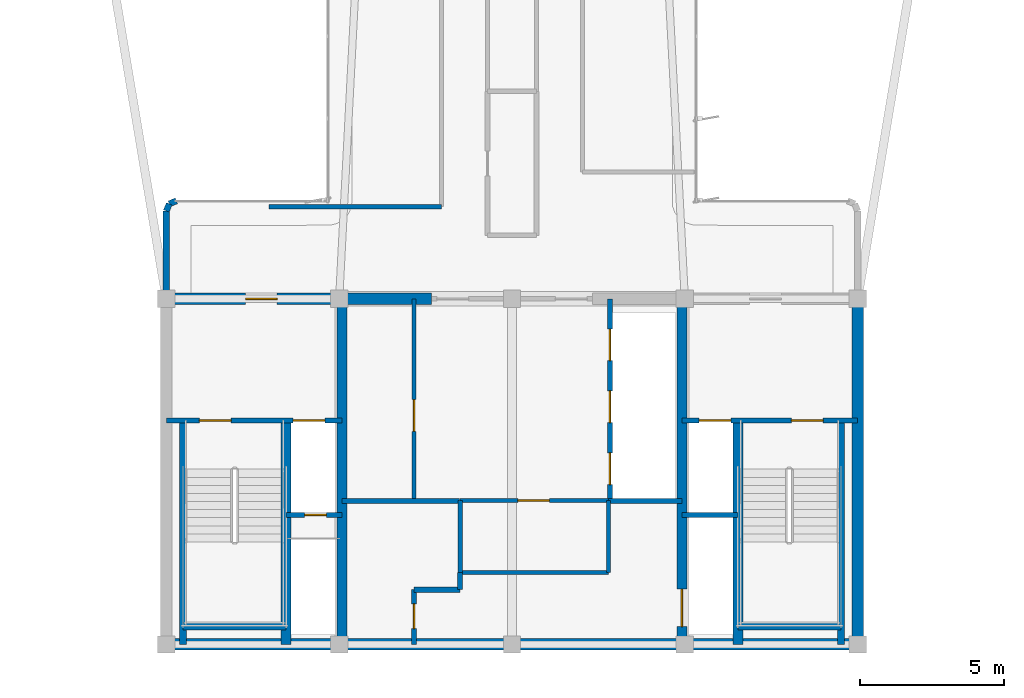
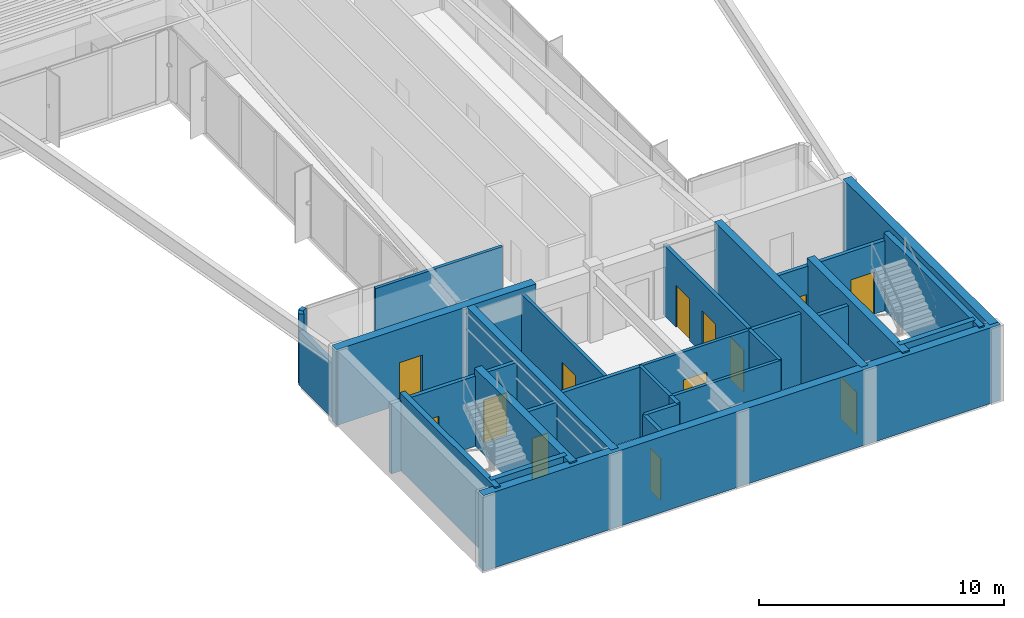
# One storey, part 10 of 15: 30 walls, 13 doors, 13 openings.
"""IFC4 building model written with IfcOpenShell, lengths in metres."""

from ifc_helpers import new_model, si_unit, direction, frame, frame_2d, origin, origin_2d, place, context, subcontext, project, spatial, rectangle, extrude, source, transform, mapped, material, layer, layer_set, type_object, element, fill, save


model = new_model("IFC4")

# Units and contexts
model_context = context("Model", 3, precision=1e-05, world=origin(), true_north=direction((0.0, 1.0)))
body_context = subcontext(model_context, "Body", "Model", "MODEL_VIEW")
ifc_project = project(units=[si_unit("LENGTHUNIT", "METRE"), si_unit("AREAUNIT", "SQUARE_METRE"), si_unit("VOLUMEUNIT", "CUBIC_METRE"), si_unit("PLANEANGLEUNIT", "RADIAN"), si_unit("MASSUNIT", "GRAM", prefix="KILO")], contexts=[model_context])

# Site, building, storey
site_placement = place(None, origin())
site = spatial("IfcSite", under=ifc_project, at=site_placement, CompositionType="ELEMENT")
building_placement = place(site_placement, origin())
building = spatial("IfcBuilding", under=site, at=building_placement, Name="Brelvock Crest Care Tower", CompositionType="ELEMENT")
storey_placement = place(building_placement, frame((0.0, 0.0, 249.47998046875)))
storey = spatial("IfcBuildingStorey", under=building, at=storey_placement, Name="L63", CompositionType="ELEMENT", Elevation=249.47998046875)

# Walls
ifc_material_1 = material(Name="Concrete S65 (65 MPa)", Category="concrete")
ifc_layer_1 = layer(ifc_material_1, 0.39990234375, Name="WL-CS4")
ifc_layer_set_1 = layer_set([ifc_layer_1], Name="Concrete S65 (65 MPa)")
wall_type_1 = type_object("IfcWallType", Name="WL-CS4", PredefinedType="SHEAR", material=ifc_layer_set_1)
wall_1_placement = place(storey_placement, frame((48.199951171875, 6.0, 0.0), z_axis=(0.0, 0.0, 1.0), x_axis=(-1.0, 0.0, 0.0)))
element("IfcWall", 1, at=wall_1_placement, inside=storey, type_object=wall_type_1, Name="L63 Core South Shear Wall", PredefinedType="SHEAR", context=body_context, shape_type="SweptSolid", body=[
    extrude(rectangle(XDim=24.39990234375, YDim=0.39990234375, at=frame_2d((12.199951171875, 0.0))), origin(), (0.0, 0.0, 1.0), 3.780029296875),
])
wall_2_placement = place(storey_placement, frame((48.0, 18.0, 0.0), z_axis=(0.0, 0.0, 1.0), x_axis=(0.0, -1.0, 0.0)))
element("IfcWall", 2, at=wall_2_placement, inside=storey, type_object=wall_type_1, Name="L63 Core East Shear Wall", PredefinedType="SHEAR", context=body_context, shape_type="SweptSolid", body=[
    extrude(rectangle(XDim=12.0, YDim=0.39990234375, at=frame_2d((6.0, 0.0))), origin(), (0.0, 0.0, 1.0), 3.780029296875),
])

# Wall, opening, door
wall_3_placement = place(storey_placement, frame((23.800048828125, 18.0, 0.0), z_axis=(0.0, 0.0, 1.0), x_axis=(1.0, 0.0, 0.0)))
wall_3 = element("IfcWall", 3, at=wall_3_placement, inside=storey, type_object=wall_type_1, Name="L63 Core North-West Shear Wall", PredefinedType="SHEAR", context=body_context, shape_type="SweptSolid", body=[
    extrude(rectangle(XDim=9.39990234375, YDim=0.39990234375, at=frame_2d((4.699951171875, 0.0))), origin(), (0.0, 0.0, 1.0), 3.780029296875),
])
opening_1_placement = place(wall_3_placement, frame((2.949951171875, 0.0, 0.0)))
opening_1 = element("IfcOpeningElement", 4, at=opening_1_placement, cuts=wall_3, Name="Opening FD-1", PredefinedType="OPENING", context=body_context, shape_type="SweptSolid", body=[
    extrude(rectangle(XDim=1.10009765625, YDim=2.10009765625, at=origin_2d()), frame((0.550048828125, 0.2099609375, 1.050048828125), z_axis=(0.0, -1.0, 0.0), x_axis=(1.0, 0.0, 0.0)), (0.0, 0.0, 1.0), 0.419921875),
])
ifc_material_2 = material(Name="Steel Grade 350", Category="steel")
door_type_1 = type_object("IfcDoorType", Name="DR-FFL1", OperationType="NOTDEFINED", PredefinedType="DOOR", material=ifc_material_2)
shared_shape_1 = source(origin(), body_context, "Body", "SweptSolid", [
    extrude(rectangle(XDim=1.10009765625, YDim=2.10009765625, at=origin_2d()), frame((0.550048828125, 0.02490234375, 1.050048828125), z_axis=(0.0, -1.0, 0.0), x_axis=(1.0, 0.0, 0.0)), (0.0, 0.0, 1.0), 0.050048828125),
])
door_1_placement = place(opening_1_placement, origin())
door_1 = element("IfcDoor", 5, at=door_1_placement, inside=storey, type_object=door_type_1, Name="L63 Firefighting Lobby FFL-1 Exit Door", OperationType="SINGLE_SWING_LEFT", OverallHeight=2.10009765625, OverallWidth=1.10009765625, PredefinedType="DOOR", context=body_context, shape_type="MappedRepresentation", body=[
    mapped(shared_shape_1, transform((0.0, 0.0, 0.0), x_axis=(1.0, 0.0, 0.0), y_axis=(0.0, 1.0, 0.0), z_axis=(0.0, 0.0, 1.0), scale=1.0)),
])
fill(opening_1, door_1)

# Wall
ifc_material_3 = material(Name="Concrete S80 (80 MPa)", Category="concrete")
ifc_layer_2 = layer(ifc_material_3, 0.35009765625, Name="WL-CS5")
ifc_layer_set_2 = layer_set([ifc_layer_2], Name="Concrete S80 (80 MPa)")
wall_type_2 = type_object("IfcWallType", Name="WL-CS5", PredefinedType="SHEAR", material=ifc_layer_set_2)
wall_4_placement = place(storey_placement, frame((30.10009765625, 6.0, 0.0), z_axis=(0.0, 0.0, 1.0), x_axis=(0.0, 1.0, 0.0)))
element("IfcWall", 6, at=wall_4_placement, inside=storey, type_object=wall_type_2, Name="L63 Core Internal Web Wall West", PredefinedType="SHEAR", context=body_context, shape_type="SweptSolid", body=[
    extrude(rectangle(XDim=12.0, YDim=0.35009765625, at=frame_2d((6.0, 0.0))), origin(), (0.0, 0.0, 1.0), 3.780029296875),
])

# Wall, opening, door
wall_5_placement = place(storey_placement, frame((41.89990234375, 18.0, 0.0), z_axis=(0.0, 0.0, 1.0), x_axis=(0.0, -1.0, 0.0)))
wall_5 = element("IfcWall", 7, at=wall_5_placement, inside=storey, type_object=wall_type_2, Name="L63 Core Internal Web Wall East", PredefinedType="SHEAR", context=body_context, shape_type="SweptSolid", body=[
    extrude(rectangle(XDim=12.0, YDim=0.35009765625, at=frame_2d((6.0, 0.0))), origin(), (0.0, 0.0, 1.0), 3.780029296875),
])
opening_2_placement = place(wall_5_placement, frame((10.080078125, 0.0, 0.0)))
opening_2 = element("IfcOpeningElement", 8, at=opening_2_placement, cuts=wall_5, Name="Opening LD-S", PredefinedType="OPENING", context=body_context, shape_type="SweptSolid", body=[
    extrude(rectangle(XDim=1.300048828125, YDim=2.10009765625, at=origin_2d()), frame((0.64990234375, 0.18505859375, 1.050048828125), z_axis=(0.0, -1.0, 0.0), x_axis=(1.0, 0.0, 0.0)), (0.0, 0.0, 1.0), 0.3701171875),
])
door_type_2 = type_object("IfcDoorType", Name="DR-LDS1", OperationType="NOTDEFINED", PredefinedType="DOOR", material=ifc_material_2)
shared_shape_2 = source(origin(), body_context, "Body", "SweptSolid", [
    extrude(rectangle(XDim=1.300048828125, YDim=2.10009765625, at=origin_2d()), frame((0.64990234375, 0.02490234375, 1.050048828125), z_axis=(0.0, -1.0, 0.0), x_axis=(1.0, 0.0, 0.0)), (0.0, 0.0, 1.0), 0.050048828125),
])
door_2_placement = place(opening_2_placement, origin())
door_2 = element("IfcDoor", 9, at=door_2_placement, inside=storey, type_object=door_type_2, Name="L63 Clinical Bed Lift SL-1 Landing Door", OperationType="SLIDING_TO_LEFT", OverallHeight=2.10009765625, OverallWidth=1.300048828125, PredefinedType="DOOR", context=body_context, shape_type="MappedRepresentation", body=[
    mapped(shared_shape_2, transform((0.0, 0.0, 0.0), x_axis=(1.0, 0.0, 0.0), y_axis=(0.0, 1.0, 0.0), z_axis=(0.0, 0.0, 1.0), scale=1.0)),
])
fill(opening_2, door_2)

# Walls
for number, where, z_axis, x_axis, name in (
    (10, (28.14990234375, 6.0, 0.0), (0.0, 0.0, 1.0), (0.0, 1.0, 0.0), "L63 Core Stair ST-1 East Shear Wall"),
    (11, (43.85009765625, 6.0, 0.0), (0.0, 0.0, 1.0), (0.0, 1.0, 0.0), "L63 Core Stair ST-2 West Shear Wall"),
):
    element("IfcWall", number, at=place(storey_placement, frame(where, z_axis=z_axis, x_axis=x_axis)), inside=storey, type_object=wall_type_2, Name=name, PredefinedType="SHEAR", context=body_context, shape_type="SweptSolid", body=[
        extrude(rectangle(XDim=7.780029296875, YDim=0.35009765625, at=frame_2d((3.89013671875, 0.0))), origin(), (0.0, 0.0, 1.0), 3.85009765625),
    ])
ifc_layer_3 = layer(ifc_material_3, 0.25, Name="WL-CS6")
ifc_layer_set_3 = layer_set([ifc_layer_3], Name="Concrete S80 (80 MPa)")
wall_type_3 = type_object("IfcWallType", Name="WL-CS6", PredefinedType="SHEAR", material=ifc_layer_set_3)
wall_6_placement = place(storey_placement, frame((24.580078125, 6.0, 0.0), z_axis=(0.0, 0.0, 1.0), x_axis=(0.0, 1.0, 0.0)))
element("IfcWall", 12, at=wall_6_placement, inside=storey, type_object=wall_type_3, Name="L63 Core Stair ST-1 West Shear Wall", PredefinedType="SHEAR", context=body_context, shape_type="SweptSolid", body=[
    extrude(rectangle(XDim=7.780029296875, YDim=0.25, at=frame_2d((3.89013671875, 0.0))), origin(), (0.0, 0.0, 1.0), 3.85009765625),
])
wall_7_placement = place(storey_placement, frame((24.580078125, 6.6201171875, 0.0), z_axis=(0.0, 0.0, 1.0), x_axis=(1.0, 0.0, 0.0)))
element("IfcWall", 13, at=wall_7_placement, inside=storey, type_object=wall_type_3, Name="L63 Core Stair ST-1 South Shear Wall", PredefinedType="SHEAR", context=body_context, shape_type="SweptSolid", body=[
    extrude(rectangle(XDim=3.56982421875, YDim=0.25, at=frame_2d((1.784912109375, 0.0))), origin(), (0.0, 0.0, 1.0), 3.85009765625),
])
wall_8_placement = place(storey_placement, frame((47.419921875, 6.0, 0.0), z_axis=(0.0, 0.0, 1.0), x_axis=(0.0, 1.0, 0.0)))
element("IfcWall", 14, at=wall_8_placement, inside=storey, type_object=wall_type_3, Name="L63 Core Stair ST-2 East Shear Wall", PredefinedType="SHEAR", context=body_context, shape_type="SweptSolid", body=[
    extrude(rectangle(XDim=7.780029296875, YDim=0.25, at=frame_2d((3.89013671875, 0.0))), origin(), (0.0, 0.0, 1.0), 3.85009765625),
])
wall_9_placement = place(storey_placement, frame((43.85009765625, 6.6201171875, 0.0), z_axis=(0.0, 0.0, 1.0), x_axis=(1.0, 0.0, 0.0)))
element("IfcWall", 15, at=wall_9_placement, inside=storey, type_object=wall_type_3, Name="L63 Core Stair ST-2 South Shear Wall", PredefinedType="SHEAR", context=body_context, shape_type="SweptSolid", body=[
    extrude(rectangle(XDim=3.56982421875, YDim=0.25, at=frame_2d((1.784912109375, 0.0))), origin(), (0.0, 0.0, 1.0), 3.85009765625),
])
ifc_material_4 = material(Name="Precast concrete N40 (40 MPa)", Category="concrete")
ifc_layer_4 = layer(ifc_material_4, 0.215087890625, Name="WL-EX2")
ifc_layer_set_4 = layer_set([ifc_layer_4], Name="Precast concrete N40 (40 MPa)")
wall_type_4 = type_object("IfcWallType", Name="WL-EX2", PredefinedType="SOLIDWALL", material=ifc_layer_set_4)
wall_10_placement = place(storey_placement, frame((24.0, 18.280029296875, 0.0), z_axis=(0.0, 0.0, 1.0), x_axis=(0.0, 1.0, 0.0)))
element("IfcWall", 16, at=wall_10_placement, inside=storey, type_object=wall_type_4, Name="L63 Rounded Corner Wall 07", PredefinedType="SOLIDWALL", context=body_context, shape_type="SweptSolid", body=[
    extrude(rectangle(XDim=2.77001953125, YDim=0.215087890625, at=frame_2d((1.385009765625, 0.0))), origin(), (0.0, 0.0, 1.0), 2.718017578125),
])
wall_11_placement = place(storey_placement, frame((24.0, 21.050048828125, 0.0), z_axis=(0.0, 0.0, 1.0), x_axis=(0.382673670509, 0.923883575944, 0.0)))
element("IfcWall", 17, at=wall_11_placement, inside=storey, type_object=wall_type_4, Name="L63 Rounded Corner Wall 08", PredefinedType="SOLIDWALL", context=body_context, shape_type="SweptSolid", body=[
    extrude(rectangle(XDim=0.26806640625, YDim=0.215087890625, at=frame_2d((0.134033203125, 0.0))), origin(), (0.0, 0.0, 1.0), 3.530029296875),
])
wall_12_placement = place(storey_placement, frame((24.1025390625, 21.297607421875, 0.0), z_axis=(0.0, 0.0, 1.0), x_axis=(0.924205486139, 0.381895560841, 0.0)))
element("IfcWall", 18, at=wall_12_placement, inside=storey, type_object=wall_type_4, Name="L63 Rounded Corner Wall 09", PredefinedType="SOLIDWALL", context=body_context, shape_type="SweptSolid", body=[
    extrude(rectangle(XDim=0.267822265625, YDim=0.215087890625, at=frame_2d((0.1337890625, 0.0))), origin(), (0.0, 0.0, 1.0), 3.530029296875),
])

# Wall, opening, door
ifc_material_5 = material(Name="Masonry Blockwork Acoustic Partition", Category="masonry")
ifc_layer_5 = layer(ifc_material_5, 0.14990234375, Name="WL-INT1")
ifc_layer_set_5 = layer_set([ifc_layer_5], Name="Masonry Blockwork Acoustic Partition")
wall_type_5 = type_object("IfcWallType", Name="WL-INT1", PredefinedType="PARTITIONING", material=ifc_layer_set_5)
wall_13_placement = place(storey_placement, frame((32.60009765625, 11.0, 0.0), z_axis=(0.0, 0.0, 1.0), x_axis=(0.0, 1.0, 0.0)))
wall_13 = element("IfcWall", 19, at=wall_13_placement, inside=storey, type_object=wall_type_5, Name="L63 Interior Wall WL-CRCL-E-L63", PredefinedType="PARTITIONING", context=body_context, shape_type="SweptSolid", body=[
    extrude(rectangle(XDim=7.0, YDim=0.14990234375, at=frame_2d((3.5, 0.0))), origin(), (0.0, 0.0, 1.0), 3.5),
])
opening_3_placement = place(wall_13_placement, frame((2.39990234375, 0.0, 0.0)))
opening_3 = element("IfcOpeningElement", 20, at=opening_3_placement, cuts=wall_13, Name="Opening PD-1", PredefinedType="OPENING", context=body_context, shape_type="SweptSolid", body=[
    extrude(rectangle(XDim=1.10009765625, YDim=2.10009765625, at=origin_2d()), frame((0.550048828125, 0.0849609375, 1.050048828125), z_axis=(0.0, -1.0, 0.0), x_axis=(1.0, 0.0, 0.0)), (0.0, 0.0, 1.0), 0.169921875),
])
door_type_3 = type_object("IfcDoorType", Name="DR-PLT1", OperationType="NOTDEFINED", PredefinedType="DOOR", material=ifc_material_2)
shared_shape_3 = source(origin(), body_context, "Body", "SweptSolid", [
    extrude(rectangle(XDim=1.10009765625, YDim=2.10009765625, at=origin_2d()), frame((0.550048828125, 0.02490234375, 1.050048828125), z_axis=(0.0, -1.0, 0.0), x_axis=(1.0, 0.0, 0.0)), (0.0, 0.0, 1.0), 0.050048828125),
])
door_3_placement = place(opening_3_placement, origin())
door_3 = element("IfcDoor", 21, at=door_3_placement, inside=storey, type_object=door_type_3, Name="DR-CRCL1-L63", OperationType="SINGLE_SWING_LEFT", OverallHeight=2.10009765625, OverallWidth=1.10009765625, PredefinedType="DOOR", context=body_context, shape_type="MappedRepresentation", body=[
    mapped(shared_shape_3, transform((0.0, 0.0, 0.0), x_axis=(1.0, 0.0, 0.0), y_axis=(0.0, 1.0, 0.0), z_axis=(0.0, 0.0, 1.0), scale=1.0)),
])
fill(opening_3, door_3)

# Walls
wall_14_placement = place(storey_placement, frame((34.199951171875, 8.5, 0.0), z_axis=(0.0, 0.0, 1.0), x_axis=(1.0, 0.0, 0.0)))
element("IfcWall", 22, at=wall_14_placement, inside=storey, type_object=wall_type_5, Name="L63 Interior Wall WL-CRCM-S-L63", PredefinedType="PARTITIONING", context=body_context, shape_type="SweptSolid", body=[
    extrude(rectangle(XDim=5.150146484375, YDim=0.14990234375, at=frame_2d((2.5751953125, 0.0))), origin(), (0.0, 0.0, 1.0), 3.5),
])
for number, where, z_axis, x_axis, name in (
    (23, (34.199951171875, 8.5, 0.0), (0.0, 0.0, 1.0), (0.0, 1.0, 0.0), "L63 Interior Wall WL-CRCM-W-L63"),
    (24, (39.35009765625, 8.5, 0.0), (0.0, 0.0, 1.0), (0.0, 1.0, 0.0), "L63 Interior Wall WL-CRCM-E-L63"),
):
    element("IfcWall", number, at=place(storey_placement, frame(where, z_axis=z_axis, x_axis=x_axis)), inside=storey, type_object=wall_type_5, Name=name, PredefinedType="PARTITIONING", context=body_context, shape_type="SweptSolid", body=[
        extrude(rectangle(XDim=2.5, YDim=0.14990234375, at=frame_2d((1.25, 0.0))), origin(), (0.0, 0.0, 1.0), 3.5),
    ])

# Wall, opening, door
wall_15_placement = place(storey_placement, frame((34.199951171875, 11.0, 0.0), z_axis=(0.0, 0.0, 1.0), x_axis=(1.0, 0.0, 0.0)))
wall_15 = element("IfcWall", 25, at=wall_15_placement, inside=storey, type_object=wall_type_5, Name="L63 Interior Wall WL-CRCM-N-L63", PredefinedType="PARTITIONING", context=body_context, shape_type="SweptSolid", body=[
    extrude(rectangle(XDim=5.150146484375, YDim=0.14990234375, at=frame_2d((2.5751953125, 0.0))), origin(), (0.0, 0.0, 1.0), 3.5),
])
opening_4_placement = place(wall_15_placement, frame((2.0, 0.0, 0.0)))
opening_4 = element("IfcOpeningElement", 26, at=opening_4_placement, cuts=wall_15, Name="Opening PD-1", PredefinedType="OPENING", context=body_context, shape_type="SweptSolid", body=[
    extrude(rectangle(XDim=1.10009765625, YDim=2.10009765625, at=origin_2d()), frame((0.550048828125, 0.0849609375, 1.050048828125), z_axis=(0.0, -1.0, 0.0), x_axis=(1.0, 0.0, 0.0)), (0.0, 0.0, 1.0), 0.169921875),
])
door_4_placement = place(opening_4_placement, origin())
door_4 = element("IfcDoor", 27, at=door_4_placement, inside=storey, type_object=door_type_3, Name="DR-CRCM1-L63", OperationType="SINGLE_SWING_LEFT", OverallHeight=2.10009765625, OverallWidth=1.10009765625, PredefinedType="DOOR", context=body_context, shape_type="MappedRepresentation", body=[
    mapped(shared_shape_3, transform((0.0, 0.0, 0.0), x_axis=(1.0, 0.0, 0.0), y_axis=(0.0, 1.0, 0.0), z_axis=(0.0, 0.0, 1.0), scale=1.0)),
])
fill(opening_4, door_4)

# Walls
wall_16_placement = place(storey_placement, frame((27.5576171875, 21.199951171875, 0.0), z_axis=(0.0, 0.0, 1.0), x_axis=(1.0, 0.0, 0.0)))
element("IfcWall", 28, at=wall_16_placement, inside=storey, type_object=wall_type_5, Name="L63 Interior Wall WL-BX-L63-THRW-S", PredefinedType="PARTITIONING", context=body_context, shape_type="SweptSolid", body=[
    extrude(rectangle(XDim=5.992431640625, YDim=0.14990234375, at=frame_2d((2.99609375, 0.0))), origin(), (0.0, 0.0, 1.0), 3.5),
])
ifc_layer_6 = layer(ifc_material_5, 0.179931640625, Name="WL-SHF1")
ifc_layer_set_6 = layer_set([ifc_layer_6], Name="Masonry Blockwork Acoustic Partition")
wall_type_6 = type_object("IfcWallType", Name="WL-SHF1", PredefinedType="PARTITIONING", material=ifc_layer_set_6)
wall_17_placement = place(storey_placement, frame((30.10009765625, 10.97998046875, 0.0), z_axis=(0.0, 0.0, 1.0), x_axis=(1.0, 0.0, 0.0)))
element("IfcWall", 29, at=wall_17_placement, inside=storey, type_object=wall_type_6, Name="L63 Interior Wall WL-CSBW-N-L63", PredefinedType="PARTITIONING", context=body_context, shape_type="SweptSolid", body=[
    extrude(rectangle(XDim=4.079833984375, YDim=0.179931640625, at=frame_2d((2.0400390625, 0.0))), origin(), (0.0, 0.0, 1.0), 3.5),
])
wall_18_placement = place(storey_placement, frame((34.199951171875, 7.89990234375, 0.0), z_axis=(0.0, 0.0, 1.0), x_axis=(0.0, 1.0, 0.0)))
element("IfcWall", 30, at=wall_18_placement, inside=storey, type_object=wall_type_6, Name="L63 Interior Wall WL-CSBW-E2-L63", PredefinedType="PARTITIONING", context=body_context, shape_type="SweptSolid", body=[
    extrude(rectangle(XDim=0.60009765625, YDim=0.179931640625, at=frame_2d((0.300048828125, 0.0))), origin(), (0.0, 0.0, 1.0), 3.5),
])
wall_19_placement = place(storey_placement, frame((32.60009765625, 7.89990234375, 0.0), z_axis=(0.0, 0.0, 1.0), x_axis=(1.0, 0.0, 0.0)))
element("IfcWall", 31, at=wall_19_placement, inside=storey, type_object=wall_type_6, Name="L63 Interior Wall WL-CSBW-S2-L63", PredefinedType="PARTITIONING", context=body_context, shape_type="SweptSolid", body=[
    extrude(rectangle(XDim=1.599853515625, YDim=0.179931640625, at=frame_2d((0.7998046875, 0.0))), origin(), (0.0, 0.0, 1.0), 3.5),
])

# Wall, opening, door
wall_20_placement = place(storey_placement, frame((32.60009765625, 6.0, 0.0), z_axis=(0.0, 0.0, 1.0), x_axis=(0.0, 1.0, 0.0)))
wall_20 = element("IfcWall", 32, at=wall_20_placement, inside=storey, type_object=wall_type_6, Name="L63 Interior Wall WL-CSBW-E1-L63", PredefinedType="PARTITIONING", context=body_context, shape_type="SweptSolid", body=[
    extrude(rectangle(XDim=1.89990234375, YDim=0.179931640625, at=frame_2d((0.949951171875, 0.0))), origin(), (0.0, 0.0, 1.0), 3.5),
])
opening_5_placement = place(wall_20_placement, frame((0.550048828125, 0.0, 0.0)))
opening_5 = element("IfcOpeningElement", 33, at=opening_5_placement, cuts=wall_20, Name="Opening ID-1", PredefinedType="OPENING", context=body_context, shape_type="SweptSolid", body=[
    extrude(rectangle(XDim=0.860107421875, YDim=2.10009765625, at=origin_2d()), frame((0.43017578125, 0.10009765625, 1.050048828125), z_axis=(0.0, -1.0, 0.0), x_axis=(1.0, 0.0, 0.0)), (0.0, 0.0, 1.0), 0.199951171875),
])
ifc_material_6 = material(Name="Engineered Hardwood Timber", Category="wood")
door_type_4 = type_object("IfcDoorType", Name="DR-INT1", OperationType="NOTDEFINED", PredefinedType="DOOR", material=ifc_material_6)
shared_shape_4 = source(origin(), body_context, "Body", "SweptSolid", [
    extrude(rectangle(XDim=0.860107421875, YDim=2.10009765625, at=origin_2d()), frame((0.43017578125, 0.02490234375, 1.050048828125), z_axis=(0.0, -1.0, 0.0), x_axis=(1.0, 0.0, 0.0)), (0.0, 0.0, 1.0), 0.050048828125),
])
door_5_placement = place(opening_5_placement, origin())
door_5 = element("IfcDoor", 34, at=door_5_placement, inside=storey, type_object=door_type_4, Name="DR-CSBW-L63", OperationType="SINGLE_SWING_LEFT", OverallHeight=2.10009765625, OverallWidth=0.860107421875, PredefinedType="DOOR", context=body_context, shape_type="MappedRepresentation", body=[
    mapped(shared_shape_4, transform((0.0, 0.0, 0.0), x_axis=(1.0, 0.0, 0.0), y_axis=(0.0, 1.0, 0.0), z_axis=(0.0, 0.0, 1.0), scale=1.0)),
])
fill(opening_5, door_5)

# Wall
wall_21_placement = place(storey_placement, frame((39.35009765625, 10.97998046875, 0.0), z_axis=(0.0, 0.0, 1.0), x_axis=(1.0, 0.0, 0.0)))
element("IfcWall", 35, at=wall_21_placement, inside=storey, type_object=wall_type_6, Name="L63 Interior Wall WL-CSBE-N-L63", PredefinedType="PARTITIONING", context=body_context, shape_type="SweptSolid", body=[
    extrude(rectangle(XDim=2.5498046875, YDim=0.179931640625, at=frame_2d((1.27490234375, 0.0))), origin(), (0.0, 0.0, 1.0), 3.5),
])

# Wall, openings, doors
wall_22_placement = place(storey_placement, frame((24.0, 13.780029296875, 0.0), z_axis=(0.0, 0.0, 1.0), x_axis=(1.0, 0.0, 0.0)))
wall_22 = element("IfcWall", 36, at=wall_22_placement, inside=storey, type_object=wall_type_6, Name="L63 Interior Wall WL-ST1-N-L63", PredefinedType="PARTITIONING", context=body_context, shape_type="SweptSolid", body=[
    extrude(rectangle(XDim=6.10009765625, YDim=0.179931640625, at=frame_2d((3.050048828125, 0.0))), origin(), (0.0, 0.0, 1.0), 3.5),
])
opening_6_placement = place(wall_22_placement, frame((1.14990234375, 0.0, 0.0)))
opening_6 = element("IfcOpeningElement", 37, at=opening_6_placement, cuts=wall_22, Name="Opening SD-1", PredefinedType="OPENING", context=body_context, shape_type="SweptSolid", body=[
    extrude(rectangle(XDim=1.10009765625, YDim=2.10009765625, at=origin_2d()), frame((0.550048828125, 0.10009765625, 1.050048828125), z_axis=(0.0, -1.0, 0.0), x_axis=(1.0, 0.0, 0.0)), (0.0, 0.0, 1.0), 0.199951171875),
])
opening_7_placement = place(wall_22_placement, frame((4.39990234375, 0.0, 0.0)))
opening_7 = element("IfcOpeningElement", 38, at=opening_7_placement, cuts=wall_22, Name="Opening LD", PredefinedType="OPENING", context=body_context, shape_type="SweptSolid", body=[
    extrude(rectangle(XDim=1.10009765625, YDim=2.10009765625, at=origin_2d()), frame((0.550048828125, 0.10009765625, 1.050048828125), z_axis=(0.0, -1.0, 0.0), x_axis=(1.0, 0.0, 0.0)), (0.0, 0.0, 1.0), 0.199951171875),
])
door_type_5 = type_object("IfcDoorType", Name="DR-ST1", OperationType="NOTDEFINED", PredefinedType="DOOR", material=ifc_material_2)
shared_shape_5 = source(origin(), body_context, "Body", "SweptSolid", [
    extrude(rectangle(XDim=1.10009765625, YDim=2.10009765625, at=origin_2d()), frame((0.550048828125, 0.02490234375, 1.050048828125), z_axis=(0.0, -1.0, 0.0), x_axis=(1.0, 0.0, 0.0)), (0.0, 0.0, 1.0), 0.050048828125),
])
door_6_placement = place(opening_6_placement, origin())
door_6 = element("IfcDoor", 39, at=door_6_placement, inside=storey, type_object=door_type_5, Name="L63 Fire Stair ST-1 Door", OperationType="SINGLE_SWING_LEFT", OverallHeight=2.10009765625, OverallWidth=1.10009765625, PredefinedType="DOOR", context=body_context, shape_type="MappedRepresentation", body=[
    mapped(shared_shape_5, transform((0.0, 0.0, 0.0), x_axis=(1.0, 0.0, 0.0), y_axis=(0.0, 1.0, 0.0), z_axis=(0.0, 0.0, 1.0), scale=1.0)),
])
fill(opening_6, door_6)
door_type_6 = type_object("IfcDoorType", Name="DR-LD1", OperationType="NOTDEFINED", PredefinedType="DOOR", material=ifc_material_2)
shared_shape_6 = source(origin(), body_context, "Body", "SweptSolid", [
    extrude(rectangle(XDim=1.10009765625, YDim=2.10009765625, at=origin_2d()), frame((0.550048828125, 0.02490234375, 1.050048828125), z_axis=(0.0, -1.0, 0.0), x_axis=(1.0, 0.0, 0.0)), (0.0, 0.0, 1.0), 0.050048828125),
])
door_7_placement = place(opening_7_placement, origin())
door_7 = element("IfcDoor", 40, at=door_7_placement, inside=storey, type_object=door_type_6, Name="L63 Firefighting Lift FFL-1 Landing Door", OperationType="SLIDING_TO_LEFT", OverallHeight=2.10009765625, OverallWidth=1.10009765625, PredefinedType="DOOR", context=body_context, shape_type="MappedRepresentation", body=[
    mapped(shared_shape_6, transform((0.0, 0.0, 0.0), x_axis=(1.0, 0.0, 0.0), y_axis=(0.0, 1.0, 0.0), z_axis=(0.0, 0.0, 1.0), scale=1.0)),
])
fill(opening_7, door_7)

# Wall, opening, door
wall_23_placement = place(storey_placement, frame((28.14990234375, 10.5, 0.0), z_axis=(0.0, 0.0, 1.0), x_axis=(1.0, 0.0, 0.0)))
wall_23 = element("IfcWall", 41, at=wall_23_placement, inside=storey, type_object=wall_type_6, Name="L63 Interior Wall WL-FFH1-S-L63", PredefinedType="PARTITIONING", context=body_context, shape_type="SweptSolid", body=[
    extrude(rectangle(XDim=1.9501953125, YDim=0.179931640625, at=frame_2d((0.97509765625, 0.0))), origin(), (0.0, 0.0, 1.0), 3.5),
])
opening_8_placement = place(wall_23_placement, frame((0.64990234375, 0.0, 0.0)))
opening_8 = element("IfcOpeningElement", 42, at=opening_8_placement, cuts=wall_23, Name="Opening RD-1", PredefinedType="OPENING", context=body_context, shape_type="SweptSolid", body=[
    extrude(rectangle(XDim=0.760009765625, YDim=2.050048828125, at=origin_2d()), frame((0.3798828125, 0.10009765625, 1.02490234375), z_axis=(0.0, -1.0, 0.0), x_axis=(1.0, 0.0, 0.0)), (0.0, 0.0, 1.0), 0.199951171875),
])
door_type_7 = type_object("IfcDoorType", Name="DR-RIS1", OperationType="NOTDEFINED", PredefinedType="DOOR", material=ifc_material_2)
shared_shape_7 = source(origin(), body_context, "Body", "SweptSolid", [
    extrude(rectangle(XDim=0.760009765625, YDim=2.050048828125, at=origin_2d()), frame((0.3798828125, 0.02490234375, 1.02490234375), z_axis=(0.0, -1.0, 0.0), x_axis=(1.0, 0.0, 0.0)), (0.0, 0.0, 1.0), 0.050048828125),
])
door_8_placement = place(opening_8_placement, origin())
door_8 = element("IfcDoor", 43, at=door_8_placement, inside=storey, type_object=door_type_7, Name="L63 Wet Fire Riser Access Door", OperationType="SINGLE_SWING_LEFT", OverallHeight=2.050048828125, OverallWidth=0.760009765625, PredefinedType="DOOR", context=body_context, shape_type="MappedRepresentation", body=[
    mapped(shared_shape_7, transform((0.0, 0.0, 0.0), x_axis=(1.0, 0.0, 0.0), y_axis=(0.0, 1.0, 0.0), z_axis=(0.0, 0.0, 1.0), scale=1.0)),
])
fill(opening_8, door_8)

# Wall, openings, doors
wall_24_placement = place(storey_placement, frame((41.89990234375, 13.780029296875, 0.0), z_axis=(0.0, 0.0, 1.0), x_axis=(1.0, 0.0, 0.0)))
wall_24 = element("IfcWall", 44, at=wall_24_placement, inside=storey, type_object=wall_type_6, Name="L63 Interior Wall WL-ST2-N-L63", PredefinedType="PARTITIONING", context=body_context, shape_type="SweptSolid", body=[
    extrude(rectangle(XDim=6.10009765625, YDim=0.179931640625, at=frame_2d((3.050048828125, 0.0))), origin(), (0.0, 0.0, 1.0), 3.5),
])
opening_9_placement = place(wall_24_placement, frame((0.60009765625, 0.0, 0.0)))
opening_9 = element("IfcOpeningElement", 45, at=opening_9_placement, cuts=wall_24, Name="Opening LD", PredefinedType="OPENING", context=body_context, shape_type="SweptSolid", body=[
    extrude(rectangle(XDim=1.10009765625, YDim=2.10009765625, at=origin_2d()), frame((0.550048828125, 0.10009765625, 1.050048828125), z_axis=(0.0, -1.0, 0.0), x_axis=(1.0, 0.0, 0.0)), (0.0, 0.0, 1.0), 0.199951171875),
])
opening_10_placement = place(wall_24_placement, frame((3.800048828125, 0.0, 0.0)))
opening_10 = element("IfcOpeningElement", 46, at=opening_10_placement, cuts=wall_24, Name="Opening SD-1", PredefinedType="OPENING", context=body_context, shape_type="SweptSolid", body=[
    extrude(rectangle(XDim=1.10009765625, YDim=2.10009765625, at=origin_2d()), frame((0.550048828125, 0.10009765625, 1.050048828125), z_axis=(0.0, -1.0, 0.0), x_axis=(1.0, 0.0, 0.0)), (0.0, 0.0, 1.0), 0.199951171875),
])
door_9_placement = place(opening_10_placement, origin())
door_9 = element("IfcDoor", 47, at=door_9_placement, inside=storey, type_object=door_type_5, Name="L63 Fire Stair ST-2 Door", OperationType="SINGLE_SWING_RIGHT", OverallHeight=2.10009765625, OverallWidth=1.10009765625, PredefinedType="DOOR", context=body_context, shape_type="MappedRepresentation", body=[
    mapped(shared_shape_5, transform((0.0, 0.0, 0.0), x_axis=(1.0, 0.0, 0.0), y_axis=(0.0, 1.0, 0.0), z_axis=(0.0, 0.0, 1.0), scale=1.0)),
])
fill(opening_10, door_9)
door_10_placement = place(opening_9_placement, origin())
door_10 = element("IfcDoor", 48, at=door_10_placement, inside=storey, type_object=door_type_6, Name="L63 Firefighting Lift FFL-2 Landing Door", OperationType="SLIDING_TO_RIGHT", OverallHeight=2.10009765625, OverallWidth=1.10009765625, PredefinedType="DOOR", context=body_context, shape_type="MappedRepresentation", body=[
    mapped(shared_shape_6, transform((0.0, 0.0, 0.0), x_axis=(1.0, 0.0, 0.0), y_axis=(0.0, 1.0, 0.0), z_axis=(0.0, 0.0, 1.0), scale=1.0)),
])
fill(opening_9, door_10)

# Wall
wall_25_placement = place(storey_placement, frame((41.89990234375, 10.5, 0.0), z_axis=(0.0, 0.0, 1.0), x_axis=(1.0, 0.0, 0.0)))
element("IfcWall", 49, at=wall_25_placement, inside=storey, type_object=wall_type_6, Name="L63 Interior Wall WL-FFH2-S-L63", PredefinedType="PARTITIONING", context=body_context, shape_type="SweptSolid", body=[
    extrude(rectangle(XDim=1.9501953125, YDim=0.179931640625, at=frame_2d((0.97509765625, 0.0))), origin(), (0.0, 0.0, 1.0), 3.5),
])

# Wall, openings, doors
wall_26_placement = place(storey_placement, frame((39.39990234375, 11.0, 0.0), z_axis=(0.0, 0.0, 1.0), x_axis=(0.0, 1.0, 0.0)))
wall_26 = element("IfcWall", 50, at=wall_26_placement, inside=storey, type_object=wall_type_6, Name="L63 Interior Wall WL-PLH-BANK-L63", PredefinedType="PARTITIONING", context=body_context, shape_type="SweptSolid", body=[
    extrude(rectangle(XDim=7.0, YDim=0.179931640625, at=frame_2d((3.5, 0.0))), origin(), (0.0, 0.0, 1.0), 3.5),
])
opening_11_placement = place(wall_26_placement, frame((0.550048828125, 0.0, 0.0)))
opening_11 = element("IfcOpeningElement", 51, at=opening_11_placement, cuts=wall_26, Name="Opening LD", PredefinedType="OPENING", context=body_context, shape_type="SweptSolid", body=[
    extrude(rectangle(XDim=1.10009765625, YDim=2.10009765625, at=origin_2d()), frame((0.550048828125, 0.10009765625, 1.050048828125), z_axis=(0.0, -1.0, 0.0), x_axis=(1.0, 0.0, 0.0)), (0.0, 0.0, 1.0), 0.199951171875),
])
opening_12_placement = place(wall_26_placement, frame((2.699951171875, 0.0, 0.0)))
opening_12 = element("IfcOpeningElement", 52, at=opening_12_placement, cuts=wall_26, Name="Opening LD", PredefinedType="OPENING", context=body_context, shape_type="SweptSolid", body=[
    extrude(rectangle(XDim=1.10009765625, YDim=2.10009765625, at=origin_2d()), frame((0.550048828125, 0.10009765625, 1.050048828125), z_axis=(0.0, -1.0, 0.0), x_axis=(1.0, 0.0, 0.0)), (0.0, 0.0, 1.0), 0.199951171875),
])
opening_13_placement = place(wall_26_placement, frame((4.85009765625, 0.0, 0.0)))
opening_13 = element("IfcOpeningElement", 53, at=opening_13_placement, cuts=wall_26, Name="Opening LD", PredefinedType="OPENING", context=body_context, shape_type="SweptSolid", body=[
    extrude(rectangle(XDim=1.10009765625, YDim=2.10009765625, at=origin_2d()), frame((0.550048828125, 0.10009765625, 1.050048828125), z_axis=(0.0, -1.0, 0.0), x_axis=(1.0, 0.0, 0.0)), (0.0, 0.0, 1.0), 0.199951171875),
])
door_11_placement = place(opening_11_placement, origin())
door_11 = element("IfcDoor", 54, at=door_11_placement, inside=storey, type_object=door_type_6, Name="L63 Lift PL-H1 Landing Door", OperationType="SLIDING_TO_RIGHT", OverallHeight=2.10009765625, OverallWidth=1.10009765625, PredefinedType="DOOR", context=body_context, shape_type="MappedRepresentation", body=[
    mapped(shared_shape_6, transform((0.0, 0.0, 0.0), x_axis=(1.0, 0.0, 0.0), y_axis=(0.0, 1.0, 0.0), z_axis=(0.0, 0.0, 1.0), scale=1.0)),
])
fill(opening_11, door_11)
door_12_placement = place(opening_12_placement, origin())
door_12 = element("IfcDoor", 55, at=door_12_placement, inside=storey, type_object=door_type_6, Name="L63 Lift PL-H2 Landing Door", OperationType="SLIDING_TO_RIGHT", OverallHeight=2.10009765625, OverallWidth=1.10009765625, PredefinedType="DOOR", context=body_context, shape_type="MappedRepresentation", body=[
    mapped(shared_shape_6, transform((0.0, 0.0, 0.0), x_axis=(1.0, 0.0, 0.0), y_axis=(0.0, 1.0, 0.0), z_axis=(0.0, 0.0, 1.0), scale=1.0)),
])
fill(opening_12, door_12)
door_13_placement = place(opening_13_placement, origin())
door_13 = element("IfcDoor", 56, at=door_13_placement, inside=storey, type_object=door_type_6, Name="L63 Lift PL-H3 Landing Door", OperationType="SLIDING_TO_RIGHT", OverallHeight=2.10009765625, OverallWidth=1.10009765625, PredefinedType="DOOR", context=body_context, shape_type="MappedRepresentation", body=[
    mapped(shared_shape_6, transform((0.0, 0.0, 0.0), x_axis=(1.0, 0.0, 0.0), y_axis=(0.0, 1.0, 0.0), z_axis=(0.0, 0.0, 1.0), scale=1.0)),
])
fill(opening_13, door_13)

save(model, "model.ifc")
